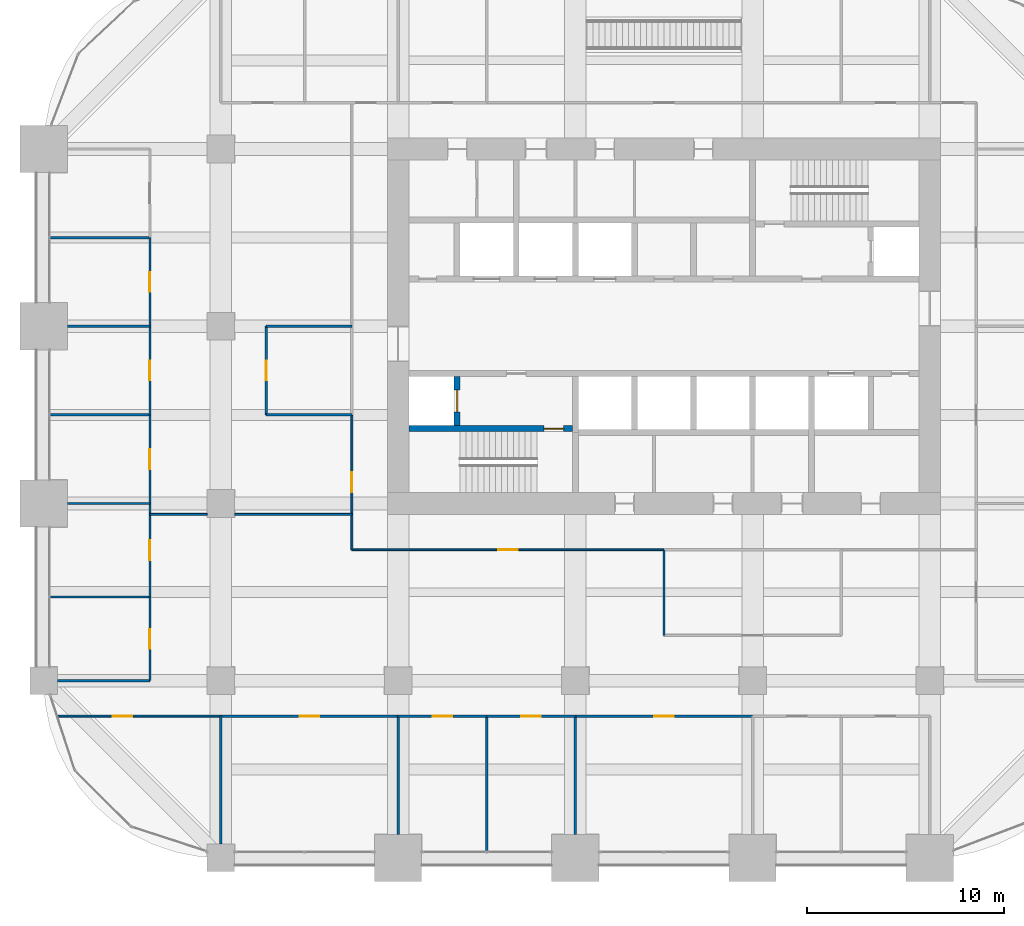
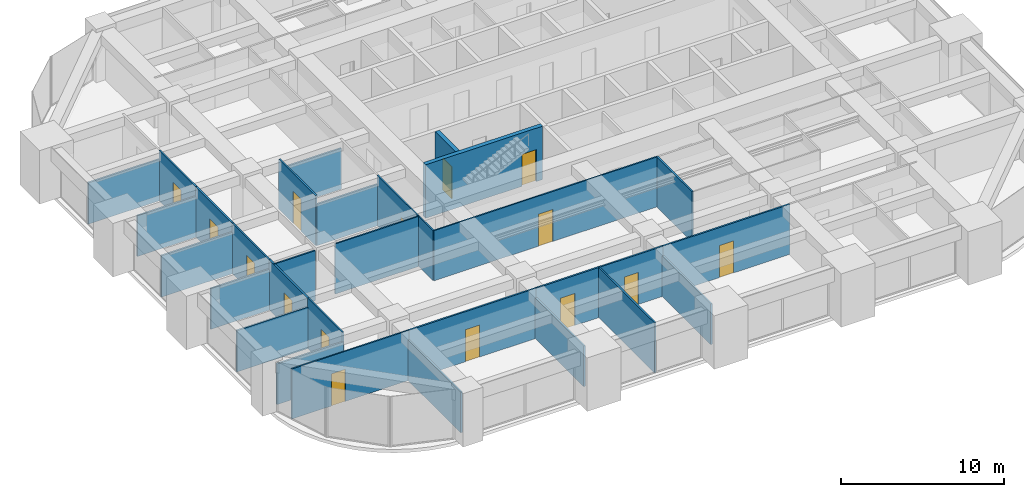
# One storey, part 29 of 34: 30 walls, 15 doors, 15 openings.
"""IFC4 building model written with IfcOpenShell, lengths in metres."""

from ifc_helpers import new_model, si_unit, direction, frame, frame_2d, origin, place, context, subcontext, project, spatial, rectangle, extrude, material, layer, layer_set, type_object, element, fill, save


model = new_model("IFC4")

# Units and contexts
model_context = context("Model", 3, precision=1e-05, world=origin(), true_north=direction((0.0, 1.0)))
body_context = subcontext(model_context, "Body", "Model", "MODEL_VIEW")
ifc_project = project(units=[si_unit("LENGTHUNIT", "METRE"), si_unit("AREAUNIT", "SQUARE_METRE"), si_unit("VOLUMEUNIT", "CUBIC_METRE"), si_unit("PLANEANGLEUNIT", "RADIAN"), si_unit("MASSUNIT", "GRAM", prefix="KILO")], contexts=[model_context])

# Site, building, storey
site_placement = place(None, origin())
site = spatial("IfcSite", under=ifc_project, at=site_placement, CompositionType="ELEMENT")
building_placement = place(site_placement, origin())
building = spatial("IfcBuilding", under=site, at=building_placement, Name="Zorevar Civic Tower", CompositionType="ELEMENT")
storey_placement = place(building_placement, frame((0.0, 0.0, 214.199951171875)))
storey = spatial("IfcBuildingStorey", under=building, at=storey_placement, Name="L52", CompositionType="ELEMENT", Elevation=214.199951171875)

# Wall, opening, door
ifc_material_1 = material(Name="Laminated glass in black aluminium frame", Category="aluminium")
ifc_layer_1 = layer(ifc_material_1, 0.10009765625)
ifc_layer_set_1 = layer_set([ifc_layer_1], Name="Glazed partition 100")
wall_type_1 = type_object("IfcWallType", Name="Glazed partition 100", PredefinedType="PARTITIONING", material=ifc_layer_set_1)
wall_1_placement = place(storey_placement, frame((0.720458984375, 7.199951171875, 0.0), z_axis=(0.0, 0.0, 1.0), x_axis=(1.0, 0.0, 0.0)))
wall_1 = element("IfcWall", 1, at=wall_1_placement, inside=storey, type_object=wall_type_1, Name="Glazed partition 100 L52", PredefinedType="PARTITIONING", context=body_context, shape_type="SweptSolid", body=[
    extrude(rectangle(XDim=8.279541015625, YDim=0.10009765625, at=frame_2d((4.1396484375, 0.0))), origin(), (0.0, 0.0, 1.0), 3.75),
])
opening_1_placement = place(wall_1_placement, frame((2.779541015625, 0.0, 0.0)))
opening_1 = element("IfcOpeningElement", 2, at=opening_1_placement, cuts=wall_1, Name="Opening L52.23", PredefinedType="OPENING", context=body_context, shape_type="SweptSolid", body=[
    extrude(rectangle(XDim=1.0, YDim=2.39990234375, at=frame_2d((0.5, 1.199951171875))), frame((0.0, 0.06005859375, 0.0), z_axis=(0.0, -1.0, 0.0), x_axis=(1.0, 0.0, 0.0)), (0.0, 0.0, 1.0), 0.1201171875),
])
ifc_material_2 = material(Name="Timber door set", Category="wood")
door_type_1 = type_object("IfcDoorType", Name="Glazed door GD1 1000x2400", OperationType="SINGLE_SWING_LEFT", PredefinedType="DOOR", material=ifc_material_2)
door_1_placement = place(opening_1_placement, origin())
door_1 = element("IfcDoor", 3, at=door_1_placement, inside=storey, type_object=door_type_1, Name="Door L52 D1", OperationType="SINGLE_SWING_RIGHT", OverallHeight=2.39990234375, OverallWidth=1.0, PredefinedType="DOOR", context=body_context, shape_type="SweptSolid", body=[
    extrude(rectangle(XDim=1.0, YDim=2.39990234375, at=frame_2d((0.5, 1.199951171875))), frame((0.0, 0.02001953125, 0.0), z_axis=(0.0, -1.0, 0.0), x_axis=(1.0, 0.0, 0.0)), (0.0, 0.0, 1.0), 0.0400390625),
])
fill(opening_1, door_1)

wall_2_placement = place(storey_placement, frame((15.64990234375, 15.64990234375, 0.0), z_axis=(0.0, 0.0, 1.0), x_axis=(1.0, 0.0, 0.0)))
wall_2 = element("IfcWall", 4, at=wall_2_placement, inside=storey, type_object=wall_type_1, Name="Glazed partition 100 L52", PredefinedType="PARTITIONING", context=body_context, shape_type="SweptSolid", body=[
    extrude(rectangle(XDim=15.85009765625, YDim=0.10009765625, at=frame_2d((7.925048828125, 0.0))), origin(), (0.0, 0.0, 1.0), 3.75),
])
opening_2_placement = place(wall_2_placement, frame((7.425048828125, 0.0, 0.0)))
opening_2 = element("IfcOpeningElement", 5, at=opening_2_placement, cuts=wall_2, Name="Opening L52.25", PredefinedType="OPENING", context=body_context, shape_type="SweptSolid", body=[
    extrude(rectangle(XDim=1.0, YDim=2.39990234375, at=frame_2d((0.5, 1.199951171875))), frame((0.0, 0.06005859375, 0.0), z_axis=(0.0, -1.0, 0.0), x_axis=(1.0, 0.0, 0.0)), (0.0, 0.0, 1.0), 0.1201171875),
])
door_2_placement = place(opening_2_placement, origin())
door_2 = element("IfcDoor", 6, at=door_2_placement, inside=storey, type_object=door_type_1, Name="Door L52 D1", OperationType="SINGLE_SWING_RIGHT", OverallHeight=2.39990234375, OverallWidth=1.0, PredefinedType="DOOR", context=body_context, shape_type="SweptSolid", body=[
    extrude(rectangle(XDim=1.0, YDim=2.39990234375, at=frame_2d((0.5, 1.199951171875))), frame((0.0, 0.02001953125, 0.0), z_axis=(0.0, -1.0, 0.0), x_axis=(1.0, 0.0, 0.0)), (0.0, 0.0, 1.0), 0.0400390625),
])
fill(opening_2, door_2)

# Walls
wall_3_placement = place(storey_placement, frame((5.389892578125, 17.449951171875, 0.0), z_axis=(0.0, 0.0, 1.0), x_axis=(1.0, 0.0, 0.0)))
element("IfcWall", 7, at=wall_3_placement, inside=storey, type_object=wall_type_1, Name="Glazed partition 100 L52", PredefinedType="PARTITIONING", context=body_context, shape_type="SweptSolid", body=[
    extrude(rectangle(XDim=2.91015625, YDim=0.10009765625, at=frame_2d((1.455078125, 0.0))), origin(), (0.0, 0.0, 1.0), 3.75),
])
wall_4_placement = place(storey_placement, frame((9.699951171875, 17.449951171875, 0.0), z_axis=(0.0, 0.0, 1.0), x_axis=(1.0, 0.0, 0.0)))
element("IfcWall", 8, at=wall_4_placement, inside=storey, type_object=wall_type_1, Name="Glazed partition 100 L52", PredefinedType="PARTITIONING", context=body_context, shape_type="SweptSolid", body=[
    extrude(rectangle(XDim=5.949951171875, YDim=0.10009765625, at=frame_2d((2.97509765625, 0.0))), origin(), (0.0, 0.0, 1.0), 3.75),
])

# Wall, opening, door
wall_5_placement = place(storey_placement, frame((15.64990234375, 15.64990234375, 0.0), z_axis=(0.0, 0.0, 1.0), x_axis=(0.0, 1.0, 0.0)))
wall_5 = element("IfcWall", 9, at=wall_5_placement, inside=storey, type_object=wall_type_1, Name="Glazed partition 100 L52", PredefinedType="PARTITIONING", context=body_context, shape_type="SweptSolid", body=[
    extrude(rectangle(XDim=6.85009765625, YDim=0.10009765625, at=frame_2d((3.425048828125, 0.0))), origin(), (0.0, 0.0, 1.0), 3.75),
])
opening_3_placement = place(wall_5_placement, frame((2.925048828125, 0.0, 0.0)))
opening_3 = element("IfcOpeningElement", 10, at=opening_3_placement, cuts=wall_5, Name="Opening L52.39", PredefinedType="OPENING", context=body_context, shape_type="SweptSolid", body=[
    extrude(rectangle(XDim=1.0, YDim=2.39990234375, at=frame_2d((0.5, 1.199951171875))), frame((0.0, 0.06005859375, 0.0), z_axis=(0.0, -1.0, 0.0), x_axis=(1.0, 0.0, 0.0)), (0.0, 0.0, 1.0), 0.1201171875),
])
door_3_placement = place(opening_3_placement, origin())
door_3 = element("IfcDoor", 11, at=door_3_placement, inside=storey, type_object=door_type_1, Name="Door L52 D1", OperationType="SINGLE_SWING_RIGHT", OverallHeight=2.39990234375, OverallWidth=1.0, PredefinedType="DOOR", context=body_context, shape_type="SweptSolid", body=[
    extrude(rectangle(XDim=1.0, YDim=2.39990234375, at=frame_2d((0.5, 1.199951171875))), frame((0.0, 0.02001953125, 0.0), z_axis=(0.0, -1.0, 0.0), x_axis=(1.0, 0.0, 0.0)), (0.0, 0.0, 1.0), 0.0400390625),
])
fill(opening_3, door_3)

ifc_material_3 = material(Name="Concrete C40/50", Category="concrete")
ifc_layer_2 = layer(ifc_material_3, 0.300048828125)
ifc_layer_set_2 = layer_set([ifc_layer_2], Name="Inner core wall 300")
wall_type_2 = type_object("IfcWallType", Name="Inner core wall 300", PredefinedType="SHEAR", material=ifc_layer_set_2)
wall_6_placement = place(storey_placement, frame((18.550048828125, 21.800048828125, 0.0), z_axis=(0.0, 0.0, 1.0), x_axis=(1.0, 0.0, 0.0)))
wall_6 = element("IfcWall", 12, at=wall_6_placement, inside=storey, type_object=wall_type_2, Name="Inner core wall S00 L52", PredefinedType="SHEAR", context=body_context, shape_type="SweptSolid", body=[
    extrude(rectangle(XDim=8.300048828125, YDim=0.300048828125, at=frame_2d((4.14990234375, 0.0))), origin(), (0.0, 0.0, 1.0), 4.0),
])
opening_4_placement = place(wall_6_placement, frame((6.85009765625, 0.0, 0.0)))
opening_4 = element("IfcOpeningElement", 13, at=opening_4_placement, cuts=wall_6, Name="Opening L52.11", PredefinedType="OPENING", context=body_context, shape_type="SweptSolid", body=[
    extrude(rectangle(XDim=1.0, YDim=2.39990234375, at=frame_2d((0.5, 1.199951171875))), frame((0.0, 0.159912109375, 0.0), z_axis=(0.0, -1.0, 0.0), x_axis=(1.0, 0.0, 0.0)), (0.0, 0.0, 1.0), 0.320068359375),
])
ifc_material_4 = material(Name="Steel door set", Category="steel")
door_type_2 = type_object("IfcDoorType", Name="Fire door FD1 1000x2400", OperationType="SINGLE_SWING_LEFT", PredefinedType="DOOR", material=ifc_material_4)
door_4_placement = place(opening_4_placement, origin())
door_4 = element("IfcDoor", 14, at=door_4_placement, inside=storey, type_object=door_type_2, Name="Door L52 10", OperationType="SINGLE_SWING_RIGHT", OverallHeight=2.39990234375, OverallWidth=1.0, PredefinedType="DOOR", context=body_context, shape_type="SweptSolid", body=[
    extrude(rectangle(XDim=1.0, YDim=2.39990234375, at=frame_2d((0.5, 1.199951171875))), frame((0.0, 0.030029296875, 0.0), z_axis=(0.0, -1.0, 0.0), x_axis=(1.0, 0.0, 0.0)), (0.0, 0.0, 1.0), 0.06005859375),
])
fill(opening_4, door_4)

wall_7_placement = place(storey_placement, frame((21.0, 21.949951171875, 0.0), z_axis=(0.0, 0.0, 1.0), x_axis=(0.0, 1.0, 0.0)))
wall_7 = element("IfcWall", 15, at=wall_7_placement, inside=storey, type_object=wall_type_2, Name="Inner core wall S02 L52", PredefinedType="SHEAR", context=body_context, shape_type="SweptSolid", body=[
    extrude(rectangle(XDim=2.5, YDim=0.300048828125, at=frame_2d((1.25, 0.0))), origin(), (0.0, 0.0, 1.0), 4.0),
])
opening_5_placement = place(wall_7_placement, frame((0.699951171875, 0.0, 0.0)))
opening_5 = element("IfcOpeningElement", 16, at=opening_5_placement, cuts=wall_7, Name="Opening L52.FL1", PredefinedType="OPENING", context=body_context, shape_type="SweptSolid", body=[
    extrude(rectangle(XDim=1.10009765625, YDim=2.39990234375, at=frame_2d((0.550048828125, 1.199951171875))), frame((0.0, 0.159912109375, 0.0), z_axis=(0.0, -1.0, 0.0), x_axis=(1.0, 0.0, 0.0)), (0.0, 0.0, 1.0), 0.320068359375),
])
ifc_material_5 = material(Name="Steel door set", Category="steel")
door_type_3 = type_object("IfcDoorType", Name="Firefighting lift landing door LD3 1100x2400", OperationType="DOUBLE_DOOR_SLIDING", PredefinedType="DOOR", material=ifc_material_5)
door_5_placement = place(opening_5_placement, origin())
door_5 = element("IfcDoor", 17, at=door_5_placement, inside=storey, type_object=door_type_3, Name="Landing door FL1 L52", OperationType="DOUBLE_DOOR_SLIDING", OverallHeight=2.39990234375, OverallWidth=1.10009765625, PredefinedType="DOOR", context=body_context, shape_type="SweptSolid", body=[
    extrude(rectangle(XDim=1.10009765625, YDim=2.39990234375, at=frame_2d((0.550048828125, 1.199951171875))), frame((0.0, 0.030029296875, 0.0), z_axis=(0.0, -1.0, 0.0), x_axis=(1.0, 0.0, 0.0)), (0.0, 0.0, 1.0), 0.06005859375),
])
fill(opening_5, door_5)

ifc_material_6 = material(Name="Gypsum board on steel studs", Category="steel")
ifc_layer_3 = layer(ifc_material_6, 0.1201171875)
ifc_layer_set_3 = layer_set([ifc_layer_3], Name="Partition 120")
wall_type_3 = type_object("IfcWallType", Name="Partition 120", PredefinedType="PARTITIONING", material=ifc_layer_set_3)
wall_8_placement = place(storey_placement, frame((9.0, 7.199951171875, 0.0), z_axis=(0.0, 0.0, 1.0), x_axis=(1.0, 0.0, 0.0)))
wall_8 = element("IfcWall", 18, at=wall_8_placement, inside=storey, type_object=wall_type_3, Name="Partition 120 L52", PredefinedType="PARTITIONING", context=body_context, shape_type="SweptSolid", body=[
    extrude(rectangle(XDim=9.0, YDim=0.1201171875, at=frame_2d((4.5, 0.0))), origin(), (0.0, 0.0, 1.0), 3.75),
])
opening_6_placement = place(wall_8_placement, frame((4.0, 0.0, 0.0)))
opening_6 = element("IfcOpeningElement", 19, at=opening_6_placement, cuts=wall_8, Name="Opening L52.17", PredefinedType="OPENING", context=body_context, shape_type="SweptSolid", body=[
    extrude(rectangle(XDim=1.0, YDim=2.39990234375, at=frame_2d((0.5, 1.199951171875))), frame((0.0, 0.070068359375, 0.0), z_axis=(0.0, -1.0, 0.0), x_axis=(1.0, 0.0, 0.0)), (0.0, 0.0, 1.0), 0.14013671875),
])
ifc_material_7 = material(Name="Timber door set", Category="wood")
door_type_4 = type_object("IfcDoorType", Name="Door D1 1000x2400", OperationType="SINGLE_SWING_LEFT", PredefinedType="DOOR", material=ifc_material_7)
door_6_placement = place(opening_6_placement, origin())
door_6 = element("IfcDoor", 20, at=door_6_placement, inside=storey, type_object=door_type_4, Name="Door L52 D1", OperationType="SINGLE_SWING_RIGHT", OverallHeight=2.39990234375, OverallWidth=1.0, PredefinedType="DOOR", context=body_context, shape_type="SweptSolid", body=[
    extrude(rectangle(XDim=1.0, YDim=2.39990234375, at=frame_2d((0.5, 1.199951171875))), frame((0.0, 0.02490234375, 0.0), z_axis=(0.0, -1.0, 0.0), x_axis=(1.0, 0.0, 0.0)), (0.0, 0.0, 1.0), 0.050048828125),
])
fill(opening_6, door_6)

wall_9_placement = place(storey_placement, frame((18.0, 7.199951171875, 0.0), z_axis=(0.0, 0.0, 1.0), x_axis=(1.0, 0.0, 0.0)))
wall_9 = element("IfcWall", 21, at=wall_9_placement, inside=storey, type_object=wall_type_3, Name="Partition 120 L52", PredefinedType="PARTITIONING", context=body_context, shape_type="SweptSolid", body=[
    extrude(rectangle(XDim=4.5, YDim=0.1201171875, at=frame_2d((2.25, 0.0))), origin(), (0.0, 0.0, 1.0), 3.75),
])
opening_7_placement = place(wall_9_placement, frame((1.75, 0.0, 0.0)))
opening_7 = element("IfcOpeningElement", 22, at=opening_7_placement, cuts=wall_9, Name="Opening L52.18", PredefinedType="OPENING", context=body_context, shape_type="SweptSolid", body=[
    extrude(rectangle(XDim=1.0, YDim=2.39990234375, at=frame_2d((0.5, 1.199951171875))), frame((0.0, 0.070068359375, 0.0), z_axis=(0.0, -1.0, 0.0), x_axis=(1.0, 0.0, 0.0)), (0.0, 0.0, 1.0), 0.14013671875),
])
door_7_placement = place(opening_7_placement, origin())
door_7 = element("IfcDoor", 23, at=door_7_placement, inside=storey, type_object=door_type_4, Name="Door L52 D1", OperationType="SINGLE_SWING_RIGHT", OverallHeight=2.39990234375, OverallWidth=1.0, PredefinedType="DOOR", context=body_context, shape_type="SweptSolid", body=[
    extrude(rectangle(XDim=1.0, YDim=2.39990234375, at=frame_2d((0.5, 1.199951171875))), frame((0.0, 0.02490234375, 0.0), z_axis=(0.0, -1.0, 0.0), x_axis=(1.0, 0.0, 0.0)), (0.0, 0.0, 1.0), 0.050048828125),
])
fill(opening_7, door_7)

wall_10_placement = place(storey_placement, frame((22.5, 7.199951171875, 0.0), z_axis=(0.0, 0.0, 1.0), x_axis=(1.0, 0.0, 0.0)))
wall_10 = element("IfcWall", 24, at=wall_10_placement, inside=storey, type_object=wall_type_3, Name="Partition 120 L52", PredefinedType="PARTITIONING", context=body_context, shape_type="SweptSolid", body=[
    extrude(rectangle(XDim=4.5, YDim=0.1201171875, at=frame_2d((2.25, 0.0))), origin(), (0.0, 0.0, 1.0), 3.75),
])
opening_8_placement = place(wall_10_placement, frame((1.75, 0.0, 0.0)))
opening_8 = element("IfcOpeningElement", 25, at=opening_8_placement, cuts=wall_10, Name="Opening L52.19", PredefinedType="OPENING", context=body_context, shape_type="SweptSolid", body=[
    extrude(rectangle(XDim=1.0, YDim=2.39990234375, at=frame_2d((0.5, 1.199951171875))), frame((0.0, 0.070068359375, 0.0), z_axis=(0.0, -1.0, 0.0), x_axis=(1.0, 0.0, 0.0)), (0.0, 0.0, 1.0), 0.14013671875),
])
door_8_placement = place(opening_8_placement, origin())
door_8 = element("IfcDoor", 26, at=door_8_placement, inside=storey, type_object=door_type_4, Name="Door L52 D1", OperationType="SINGLE_SWING_RIGHT", OverallHeight=2.39990234375, OverallWidth=1.0, PredefinedType="DOOR", context=body_context, shape_type="SweptSolid", body=[
    extrude(rectangle(XDim=1.0, YDim=2.39990234375, at=frame_2d((0.5, 1.199951171875))), frame((0.0, 0.02490234375, 0.0), z_axis=(0.0, -1.0, 0.0), x_axis=(1.0, 0.0, 0.0)), (0.0, 0.0, 1.0), 0.050048828125),
])
fill(opening_8, door_8)

wall_11_placement = place(storey_placement, frame((27.0, 7.199951171875, 0.0), z_axis=(0.0, 0.0, 1.0), x_axis=(1.0, 0.0, 0.0)))
wall_11 = element("IfcWall", 27, at=wall_11_placement, inside=storey, type_object=wall_type_3, Name="Partition 120 L52", PredefinedType="PARTITIONING", context=body_context, shape_type="SweptSolid", body=[
    extrude(rectangle(XDim=9.0, YDim=0.1201171875, at=frame_2d((4.5, 0.0))), origin(), (0.0, 0.0, 1.0), 3.75),
])
opening_9_placement = place(wall_11_placement, frame((4.0, 0.0, 0.0)))
opening_9 = element("IfcOpeningElement", 28, at=opening_9_placement, cuts=wall_11, Name="Opening L52.20", PredefinedType="OPENING", context=body_context, shape_type="SweptSolid", body=[
    extrude(rectangle(XDim=1.0, YDim=2.39990234375, at=frame_2d((0.5, 1.199951171875))), frame((0.0, 0.070068359375, 0.0), z_axis=(0.0, -1.0, 0.0), x_axis=(1.0, 0.0, 0.0)), (0.0, 0.0, 1.0), 0.14013671875),
])
door_9_placement = place(opening_9_placement, origin())
door_9 = element("IfcDoor", 29, at=door_9_placement, inside=storey, type_object=door_type_4, Name="Door L52 D1", OperationType="SINGLE_SWING_LEFT", OverallHeight=2.39990234375, OverallWidth=1.0, PredefinedType="DOOR", context=body_context, shape_type="SweptSolid", body=[
    extrude(rectangle(XDim=1.0, YDim=2.39990234375, at=frame_2d((0.5, 1.199951171875))), frame((0.0, 0.02490234375, 0.0), z_axis=(0.0, -1.0, 0.0), x_axis=(1.0, 0.0, 0.0)), (0.0, 0.0, 1.0), 0.050048828125),
])
fill(opening_9, door_9)

# Walls
wall_12_placement = place(storey_placement, frame((0.699951171875, 9.0, 0.0), z_axis=(0.0, 0.0, 1.0), x_axis=(1.0, 0.0, 0.0)))
element("IfcWall", 30, at=wall_12_placement, inside=storey, type_object=wall_type_3, Name="Partition 120 L52", PredefinedType="PARTITIONING", context=body_context, shape_type="SweptSolid", body=[
    extrude(rectangle(XDim=4.699951171875, YDim=0.1201171875, at=frame_2d((2.35009765625, 0.0))), origin(), (0.0, 0.0, 1.0), 3.050048828125),
])
wall_13_placement = place(storey_placement, frame((0.31005859375, 13.25, 0.0), z_axis=(0.0, 0.0, 1.0), x_axis=(1.0, 0.0, 0.0)))
element("IfcWall", 31, at=wall_13_placement, inside=storey, type_object=wall_type_3, Name="Partition 120 L52", PredefinedType="PARTITIONING", context=body_context, shape_type="SweptSolid", body=[
    extrude(rectangle(XDim=5.08984375, YDim=0.1201171875, at=frame_2d((2.544921875, 0.0))), origin(), (0.0, 0.0, 1.0), 3.10009765625),
])
wall_14_placement = place(storey_placement, frame((1.199951171875, 18.0, 0.0), z_axis=(0.0, 0.0, 1.0), x_axis=(1.0, 0.0, 0.0)))
element("IfcWall", 32, at=wall_14_placement, inside=storey, type_object=wall_type_3, Name="Partition 120 L52", PredefinedType="PARTITIONING", context=body_context, shape_type="SweptSolid", body=[
    extrude(rectangle(XDim=4.199951171875, YDim=0.1201171875, at=frame_2d((2.10009765625, 0.0))), origin(), (0.0, 0.0, 1.0), 3.050048828125),
])
wall_15_placement = place(storey_placement, frame((0.31005859375, 22.5, 0.0), z_axis=(0.0, 0.0, 1.0), x_axis=(1.0, 0.0, 0.0)))
element("IfcWall", 33, at=wall_15_placement, inside=storey, type_object=wall_type_3, Name="Partition 120 L52", PredefinedType="PARTITIONING", context=body_context, shape_type="SweptSolid", body=[
    extrude(rectangle(XDim=5.08984375, YDim=0.1201171875, at=frame_2d((2.544921875, 0.0))), origin(), (0.0, 0.0, 1.0), 3.10009765625),
])
wall_16_placement = place(storey_placement, frame((11.300048828125, 22.5, 0.0), z_axis=(0.0, 0.0, 1.0), x_axis=(1.0, 0.0, 0.0)))
element("IfcWall", 34, at=wall_16_placement, inside=storey, type_object=wall_type_3, Name="Partition 120 L52", PredefinedType="PARTITIONING", context=body_context, shape_type="SweptSolid", body=[
    extrude(rectangle(XDim=4.349853515625, YDim=0.1201171875, at=frame_2d((2.1748046875, 0.0))), origin(), (0.0, 0.0, 1.0), 3.10009765625),
])
wall_17_placement = place(storey_placement, frame((1.199951171875, 27.0, 0.0), z_axis=(0.0, 0.0, 1.0), x_axis=(1.0, 0.0, 0.0)))
element("IfcWall", 35, at=wall_17_placement, inside=storey, type_object=wall_type_3, Name="Partition 120 L52", PredefinedType="PARTITIONING", context=body_context, shape_type="SweptSolid", body=[
    extrude(rectangle(XDim=4.199951171875, YDim=0.1201171875, at=frame_2d((2.10009765625, 0.0))), origin(), (0.0, 0.0, 1.0), 3.050048828125),
])
wall_18_placement = place(storey_placement, frame((11.300048828125, 27.0, 0.0), z_axis=(0.0, 0.0, 1.0), x_axis=(1.0, 0.0, 0.0)))
element("IfcWall", 36, at=wall_18_placement, inside=storey, type_object=wall_type_3, Name="Partition 120 L52", PredefinedType="PARTITIONING", context=body_context, shape_type="SweptSolid", body=[
    extrude(rectangle(XDim=4.349853515625, YDim=0.1201171875, at=frame_2d((2.1748046875, 0.0))), origin(), (0.0, 0.0, 1.0), 3.050048828125),
])
wall_19_placement = place(storey_placement, frame((0.31005859375, 31.5, 0.0), z_axis=(0.0, 0.0, 1.0), x_axis=(1.0, 0.0, 0.0)))
element("IfcWall", 37, at=wall_19_placement, inside=storey, type_object=wall_type_3, Name="Partition 120 L52", PredefinedType="PARTITIONING", context=body_context, shape_type="SweptSolid", body=[
    extrude(rectangle(XDim=5.08984375, YDim=0.1201171875, at=frame_2d((2.544921875, 0.0))), origin(), (0.0, 0.0, 1.0), 3.10009765625),
])

# Wall, opening, door
wall_20_placement = place(storey_placement, frame((5.39990234375, 9.0, 0.0), z_axis=(0.0, 0.0, 1.0), x_axis=(0.0, 1.0, 0.0)))
wall_20 = element("IfcWall", 38, at=wall_20_placement, inside=storey, type_object=wall_type_3, Name="Partition 120 L52", PredefinedType="PARTITIONING", context=body_context, shape_type="SweptSolid", body=[
    extrude(rectangle(XDim=4.25, YDim=0.1201171875, at=frame_2d((2.125, 0.0))), origin(), (0.0, 0.0, 1.0), 3.75),
])
opening_10_placement = place(wall_20_placement, frame((1.625, 0.0, 0.0)))
opening_10 = element("IfcOpeningElement", 39, at=opening_10_placement, cuts=wall_20, Name="Opening L52.32", PredefinedType="OPENING", context=body_context, shape_type="SweptSolid", body=[
    extrude(rectangle(XDim=1.0, YDim=2.39990234375, at=frame_2d((0.5, 1.199951171875))), frame((0.0, 0.070068359375, 0.0), z_axis=(0.0, -1.0, 0.0), x_axis=(1.0, 0.0, 0.0)), (0.0, 0.0, 1.0), 0.14013671875),
])
door_10_placement = place(opening_10_placement, origin())
door_10 = element("IfcDoor", 40, at=door_10_placement, inside=storey, type_object=door_type_4, Name="Door L52 D1", OperationType="SINGLE_SWING_LEFT", OverallHeight=2.39990234375, OverallWidth=1.0, PredefinedType="DOOR", context=body_context, shape_type="SweptSolid", body=[
    extrude(rectangle(XDim=1.0, YDim=2.39990234375, at=frame_2d((0.5, 1.199951171875))), frame((0.0, 0.02490234375, 0.0), z_axis=(0.0, -1.0, 0.0), x_axis=(1.0, 0.0, 0.0)), (0.0, 0.0, 1.0), 0.050048828125),
])
fill(opening_10, door_10)

wall_21_placement = place(storey_placement, frame((5.39990234375, 13.25, 0.0), z_axis=(0.0, 0.0, 1.0), x_axis=(0.0, 1.0, 0.0)))
wall_21 = element("IfcWall", 41, at=wall_21_placement, inside=storey, type_object=wall_type_3, Name="Partition 120 L52", PredefinedType="PARTITIONING", context=body_context, shape_type="SweptSolid", body=[
    extrude(rectangle(XDim=4.75, YDim=0.1201171875, at=frame_2d((2.375, 0.0))), origin(), (0.0, 0.0, 1.0), 3.75),
])
opening_11_placement = place(wall_21_placement, frame((1.875, 0.0, 0.0)))
opening_11 = element("IfcOpeningElement", 42, at=opening_11_placement, cuts=wall_21, Name="Opening L52.33", PredefinedType="OPENING", context=body_context, shape_type="SweptSolid", body=[
    extrude(rectangle(XDim=1.0, YDim=2.39990234375, at=frame_2d((0.5, 1.199951171875))), frame((0.0, 0.070068359375, 0.0), z_axis=(0.0, -1.0, 0.0), x_axis=(1.0, 0.0, 0.0)), (0.0, 0.0, 1.0), 0.14013671875),
])
door_11_placement = place(opening_11_placement, origin())
door_11 = element("IfcDoor", 43, at=door_11_placement, inside=storey, type_object=door_type_4, Name="Door L52 D1", OperationType="SINGLE_SWING_RIGHT", OverallHeight=2.39990234375, OverallWidth=1.0, PredefinedType="DOOR", context=body_context, shape_type="SweptSolid", body=[
    extrude(rectangle(XDim=1.0, YDim=2.39990234375, at=frame_2d((0.5, 1.199951171875))), frame((0.0, 0.02490234375, 0.0), z_axis=(0.0, -1.0, 0.0), x_axis=(1.0, 0.0, 0.0)), (0.0, 0.0, 1.0), 0.050048828125),
])
fill(opening_11, door_11)

wall_22_placement = place(storey_placement, frame((5.39990234375, 18.0, 0.0), z_axis=(0.0, 0.0, 1.0), x_axis=(0.0, 1.0, 0.0)))
wall_22 = element("IfcWall", 44, at=wall_22_placement, inside=storey, type_object=wall_type_3, Name="Partition 120 L52", PredefinedType="PARTITIONING", context=body_context, shape_type="SweptSolid", body=[
    extrude(rectangle(XDim=4.5, YDim=0.1201171875, at=frame_2d((2.25, 0.0))), origin(), (0.0, 0.0, 1.0), 3.75),
])
opening_12_placement = place(wall_22_placement, frame((1.75, 0.0, 0.0)))
opening_12 = element("IfcOpeningElement", 45, at=opening_12_placement, cuts=wall_22, Name="Opening L52.34", PredefinedType="OPENING", context=body_context, shape_type="SweptSolid", body=[
    extrude(rectangle(XDim=1.0, YDim=2.39990234375, at=frame_2d((0.5, 1.199951171875))), frame((0.0, 0.070068359375, 0.0), z_axis=(0.0, -1.0, 0.0), x_axis=(1.0, 0.0, 0.0)), (0.0, 0.0, 1.0), 0.14013671875),
])
door_12_placement = place(opening_12_placement, origin())
door_12 = element("IfcDoor", 46, at=door_12_placement, inside=storey, type_object=door_type_4, Name="Door L52 D1", OperationType="SINGLE_SWING_LEFT", OverallHeight=2.39990234375, OverallWidth=1.0, PredefinedType="DOOR", context=body_context, shape_type="SweptSolid", body=[
    extrude(rectangle(XDim=1.0, YDim=2.39990234375, at=frame_2d((0.5, 1.199951171875))), frame((0.0, 0.02490234375, 0.0), z_axis=(0.0, -1.0, 0.0), x_axis=(1.0, 0.0, 0.0)), (0.0, 0.0, 1.0), 0.050048828125),
])
fill(opening_12, door_12)

wall_23_placement = place(storey_placement, frame((5.39990234375, 22.5, 0.0), z_axis=(0.0, 0.0, 1.0), x_axis=(0.0, 1.0, 0.0)))
wall_23 = element("IfcWall", 47, at=wall_23_placement, inside=storey, type_object=wall_type_3, Name="Partition 120 L52", PredefinedType="PARTITIONING", context=body_context, shape_type="SweptSolid", body=[
    extrude(rectangle(XDim=4.5, YDim=0.1201171875, at=frame_2d((2.25, 0.0))), origin(), (0.0, 0.0, 1.0), 3.75),
])
opening_13_placement = place(wall_23_placement, frame((1.75, 0.0, 0.0)))
opening_13 = element("IfcOpeningElement", 48, at=opening_13_placement, cuts=wall_23, Name="Opening L52.35", PredefinedType="OPENING", context=body_context, shape_type="SweptSolid", body=[
    extrude(rectangle(XDim=1.0, YDim=2.39990234375, at=frame_2d((0.5, 1.199951171875))), frame((0.0, 0.070068359375, 0.0), z_axis=(0.0, -1.0, 0.0), x_axis=(1.0, 0.0, 0.0)), (0.0, 0.0, 1.0), 0.14013671875),
])
door_13_placement = place(opening_13_placement, origin())
door_13 = element("IfcDoor", 49, at=door_13_placement, inside=storey, type_object=door_type_4, Name="Door L52 D1", OperationType="SINGLE_SWING_LEFT", OverallHeight=2.39990234375, OverallWidth=1.0, PredefinedType="DOOR", context=body_context, shape_type="SweptSolid", body=[
    extrude(rectangle(XDim=1.0, YDim=2.39990234375, at=frame_2d((0.5, 1.199951171875))), frame((0.0, 0.02490234375, 0.0), z_axis=(0.0, -1.0, 0.0), x_axis=(1.0, 0.0, 0.0)), (0.0, 0.0, 1.0), 0.050048828125),
])
fill(opening_13, door_13)

wall_24_placement = place(storey_placement, frame((5.39990234375, 27.0, 0.0), z_axis=(0.0, 0.0, 1.0), x_axis=(0.0, 1.0, 0.0)))
wall_24 = element("IfcWall", 50, at=wall_24_placement, inside=storey, type_object=wall_type_3, Name="Partition 120 L52", PredefinedType="PARTITIONING", context=body_context, shape_type="SweptSolid", body=[
    extrude(rectangle(XDim=4.5, YDim=0.1201171875, at=frame_2d((2.25, 0.0))), origin(), (0.0, 0.0, 1.0), 3.75),
])
opening_14_placement = place(wall_24_placement, frame((1.75, 0.0, 0.0)))
opening_14 = element("IfcOpeningElement", 51, at=opening_14_placement, cuts=wall_24, Name="Opening L52.36", PredefinedType="OPENING", context=body_context, shape_type="SweptSolid", body=[
    extrude(rectangle(XDim=1.0, YDim=2.39990234375, at=frame_2d((0.5, 1.199951171875))), frame((0.0, 0.070068359375, 0.0), z_axis=(0.0, -1.0, 0.0), x_axis=(1.0, 0.0, 0.0)), (0.0, 0.0, 1.0), 0.14013671875),
])
door_14_placement = place(opening_14_placement, origin())
door_14 = element("IfcDoor", 52, at=door_14_placement, inside=storey, type_object=door_type_4, Name="Door L52 D1", OperationType="SINGLE_SWING_LEFT", OverallHeight=2.39990234375, OverallWidth=1.0, PredefinedType="DOOR", context=body_context, shape_type="SweptSolid", body=[
    extrude(rectangle(XDim=1.0, YDim=2.39990234375, at=frame_2d((0.5, 1.199951171875))), frame((0.0, 0.02490234375, 0.0), z_axis=(0.0, -1.0, 0.0), x_axis=(1.0, 0.0, 0.0)), (0.0, 0.0, 1.0), 0.050048828125),
])
fill(opening_14, door_14)

# Wall
wall_25_placement = place(storey_placement, frame((9.0, 0.699951171875, 0.0), z_axis=(0.0, 0.0, 1.0), x_axis=(0.0, 1.0, 0.0)))
element("IfcWall", 53, at=wall_25_placement, inside=storey, type_object=wall_type_3, Name="Partition 120 L52", PredefinedType="PARTITIONING", context=body_context, shape_type="SweptSolid", body=[
    extrude(rectangle(XDim=6.5, YDim=0.1201171875, at=frame_2d((3.25, 0.0))), origin(), (0.0, 0.0, 1.0), 3.050048828125),
])

# Wall, opening, door
wall_26_placement = place(storey_placement, frame((11.300048828125, 22.5, 0.0), z_axis=(0.0, 0.0, 1.0), x_axis=(0.0, 1.0, 0.0)))
wall_26 = element("IfcWall", 54, at=wall_26_placement, inside=storey, type_object=wall_type_3, Name="Partition 120 L52", PredefinedType="PARTITIONING", context=body_context, shape_type="SweptSolid", body=[
    extrude(rectangle(XDim=4.5, YDim=0.1201171875, at=frame_2d((2.25, 0.0))), origin(), (0.0, 0.0, 1.0), 3.75),
])
opening_15_placement = place(wall_26_placement, frame((1.75, 0.0, 0.0)))
opening_15 = element("IfcOpeningElement", 55, at=opening_15_placement, cuts=wall_26, Name="Opening L52.38", PredefinedType="OPENING", context=body_context, shape_type="SweptSolid", body=[
    extrude(rectangle(XDim=1.0, YDim=2.39990234375, at=frame_2d((0.5, 1.199951171875))), frame((0.0, 0.070068359375, 0.0), z_axis=(0.0, -1.0, 0.0), x_axis=(1.0, 0.0, 0.0)), (0.0, 0.0, 1.0), 0.14013671875),
])
door_15_placement = place(opening_15_placement, origin())
door_15 = element("IfcDoor", 56, at=door_15_placement, inside=storey, type_object=door_type_4, Name="Door L52 D1", OperationType="SINGLE_SWING_RIGHT", OverallHeight=2.39990234375, OverallWidth=1.0, PredefinedType="DOOR", context=body_context, shape_type="SweptSolid", body=[
    extrude(rectangle(XDim=1.0, YDim=2.39990234375, at=frame_2d((0.5, 1.199951171875))), frame((0.0, 0.02490234375, 0.0), z_axis=(0.0, -1.0, 0.0), x_axis=(1.0, 0.0, 0.0)), (0.0, 0.0, 1.0), 0.050048828125),
])
fill(opening_15, door_15)

# Walls
wall_27_placement = place(storey_placement, frame((18.0, 1.199951171875, 0.0), z_axis=(0.0, 0.0, 1.0), x_axis=(0.0, 1.0, 0.0)))
element("IfcWall", 57, at=wall_27_placement, inside=storey, type_object=wall_type_3, Name="Partition 120 L52", PredefinedType="PARTITIONING", context=body_context, shape_type="SweptSolid", body=[
    extrude(rectangle(XDim=6.0, YDim=0.1201171875, at=frame_2d((3.0, 0.0))), origin(), (0.0, 0.0, 1.0), 3.050048828125),
])
wall_28_placement = place(storey_placement, frame((22.5, 0.31005859375, 0.0), z_axis=(0.0, 0.0, 1.0), x_axis=(0.0, 1.0, 0.0)))
element("IfcWall", 58, at=wall_28_placement, inside=storey, type_object=wall_type_3, Name="Partition 120 L52", PredefinedType="PARTITIONING", context=body_context, shape_type="SweptSolid", body=[
    extrude(rectangle(XDim=6.889892578125, YDim=0.1201171875, at=frame_2d((3.44482421875, 0.0))), origin(), (0.0, 0.0, 1.0), 3.75),
])
wall_29_placement = place(storey_placement, frame((27.0, 1.199951171875, 0.0), z_axis=(0.0, 0.0, 1.0), x_axis=(0.0, 1.0, 0.0)))
element("IfcWall", 59, at=wall_29_placement, inside=storey, type_object=wall_type_3, Name="Partition 120 L52", PredefinedType="PARTITIONING", context=body_context, shape_type="SweptSolid", body=[
    extrude(rectangle(XDim=6.0, YDim=0.1201171875, at=frame_2d((3.0, 0.0))), origin(), (0.0, 0.0, 1.0), 3.050048828125),
])
wall_30_placement = place(storey_placement, frame((31.5, 11.300048828125, 0.0), z_axis=(0.0, 0.0, 1.0), x_axis=(0.0, 1.0, 0.0)))
element("IfcWall", 60, at=wall_30_placement, inside=storey, type_object=wall_type_3, Name="Partition 120 L52", PredefinedType="PARTITIONING", context=body_context, shape_type="SweptSolid", body=[
    extrude(rectangle(XDim=4.349853515625, YDim=0.1201171875, at=frame_2d((2.1748046875, 0.0))), origin(), (0.0, 0.0, 1.0), 3.75),
])

save(model, "model.ifc")
